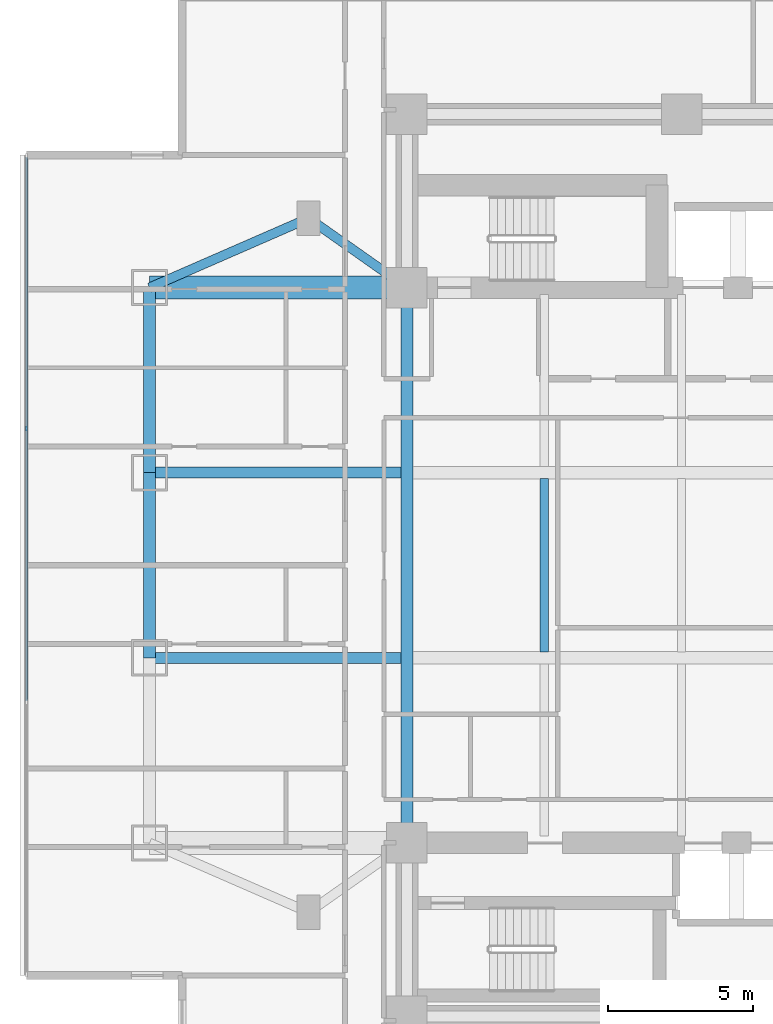
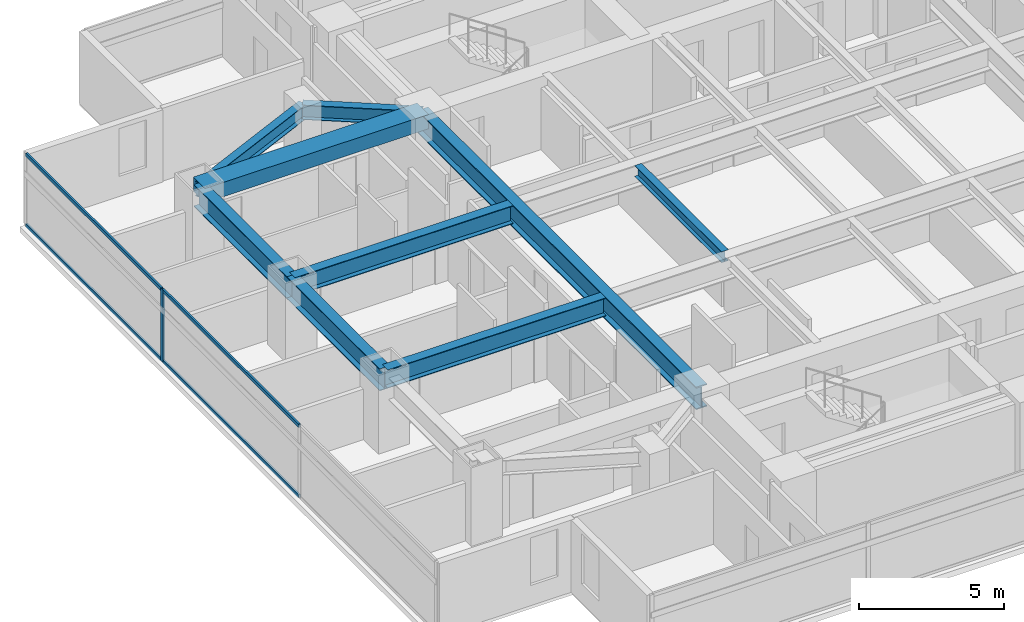
# One storey, part 3 of 27: 9 beams, 5 members, 1 element without a shape of its own.
"""IFC4 building model written with IfcOpenShell, lengths in metres."""

from ifc_helpers import new_model, si_unit, direction, frame, origin, origin_2d, place, context, subcontext, project, spatial, rectangle, i_section, extrude, material, material_profile, profile_set, type_object, element, aggregate, save


model = new_model("IFC4")

# Units and contexts
model_context = context("Model", 3, precision=1e-05, world=origin(), true_north=direction((0.0, 1.0)))
body_context = subcontext(model_context, "Body", "Model", "MODEL_VIEW")
ifc_project = project(units=[si_unit("LENGTHUNIT", "METRE"), si_unit("AREAUNIT", "SQUARE_METRE"), si_unit("VOLUMEUNIT", "CUBIC_METRE"), si_unit("PLANEANGLEUNIT", "RADIAN"), si_unit("MASSUNIT", "GRAM", prefix="KILO")], contexts=[model_context])

# Site, building, storey
site_placement = place(None, origin())
site = spatial("IfcSite", under=ifc_project, at=site_placement, CompositionType="ELEMENT")
building_placement = place(site_placement, origin())
building = spatial("IfcBuilding", under=site, at=building_placement, Name="Mirazonda Arch Towers", CompositionType="ELEMENT")
storey_placement = place(building_placement, frame((0.0, 0.0, 42.199951171875)))
storey = spatial("IfcBuildingStorey", under=building, at=storey_placement, Name="L11", CompositionType="ELEMENT", Elevation=42.199951171875)

# Beams
ifc_material_1 = material(Name="Steel ASTM A992 Grade 50", Category="steel")
ifc_material_profile_1 = material_profile(ifc_material_1, i_section(OverallWidth=0.41796875, OverallDepth=0.927001953125, WebThickness=0.019287109375, FlangeThickness=0.031982421875, at=origin_2d()), Name="W36X231")
ifc_profile_set_1 = profile_set([ifc_material_profile_1], Name="Steel ASTM A992 Grade 50")
beam_type_1 = type_object("IfcBeamType", Name="BM-EXT-W36X231", PredefinedType="USERDEFINED", material=ifc_profile_set_1)
beam_1_placement = place(storey_placement, frame((2.10009765625, 24.800048828125, 2.596435546875), z_axis=(0.0, 1.0, 0.0), x_axis=(-1.0, 0.0, 0.0)))
element("IfcBeam", 1, at=beam_1_placement, inside=storey, type_object=beam_type_1, Name="L11 Floor Beam BM-T1-L11-NS-W-24", ObjectType="GIRDER", PredefinedType="USERDEFINED", context=body_context, shape_type="SweptSolid", body=[
    extrude(i_section(OverallWidth=0.41796875, OverallDepth=0.927001953125, WebThickness=0.019287109375, FlangeThickness=0.031982421875, at=origin_2d()), origin(), (0.0, 0.0, 1.0), 6.39990234375),
])
beam_2_placement = place(storey_placement, frame((2.10009765625, 31.199951171875, 2.596435546875), z_axis=(0.0, 1.0, 0.0), x_axis=(-1.0, 0.0, 0.0)))
element("IfcBeam", 2, at=beam_2_placement, inside=storey, type_object=beam_type_1, Name="L11 Floor Beam BM-T1-L11-NS-W-31", ObjectType="GIRDER", PredefinedType="USERDEFINED", context=body_context, shape_type="SweptSolid", body=[
    extrude(i_section(OverallWidth=0.41796875, OverallDepth=0.927001953125, WebThickness=0.019287109375, FlangeThickness=0.031982421875, at=origin_2d()), origin(), (0.0, 0.0, 1.0), 6.400146484375),
])
ifc_material_profile_2 = material_profile(ifc_material_1, i_section(OverallWidth=0.280029296875, OverallDepth=0.462890625, WebThickness=0.0107421875, FlangeThickness=0.017333984375, at=origin_2d()), Name="W18X76")
ifc_profile_set_2 = profile_set([ifc_material_profile_2], Name="Steel ASTM A992 Grade 50")
beam_type_2 = type_object("IfcBeamType", Name="BM-INT-W18X76", PredefinedType="JOIST", material=ifc_profile_set_2)
beam_3_placement = place(storey_placement, frame((15.75, 25.007568359375, 2.82861328125), z_axis=(0.0, 1.0, 0.0), x_axis=(-1.0, 0.0, 0.0)))
element("IfcBeam", 3, at=beam_3_placement, inside=storey, type_object=beam_type_2, Name="L11 Floor Beam BM-T1-L11-J-157-24", PredefinedType="JOIST", context=body_context, shape_type="SweptSolid", body=[
    extrude(i_section(OverallWidth=0.280029296875, OverallDepth=0.462890625, WebThickness=0.0107421875, FlangeThickness=0.017333984375, at=origin_2d()), origin(), (0.0, 0.0, 1.0), 5.98486328125),
])
ifc_material_profile_3 = material_profile(ifc_material_1, i_section(OverallWidth=0.324951171875, OverallDepth=0.615966796875, WebThickness=0.013916015625, FlangeThickness=0.021484375, at=origin_2d()), Name="W24X117")
ifc_profile_set_3 = profile_set([ifc_material_profile_3], Name="Steel ASTM A992 Grade 50")
beam_type_3 = type_object("IfcBeamType", Name="BM-INT-W24X117", PredefinedType="BEAM", material=ifc_profile_set_3)
beam_4_placement = place(storey_placement, frame((7.60009765625, 40.0, 2.751953125), z_axis=(0.816971114901, -0.576678591087, 0.0), x_axis=(0.576678591087, 0.816971114901, 0.0)))
element("IfcBeam", 4, at=beam_4_placement, inside=storey, type_object=beam_type_3, Name="L11 Floor Beam BM-T1-L11-PL-NW1", PredefinedType="BEAM", context=body_context, shape_type="SweptSolid", body=[
    extrude(i_section(OverallWidth=0.324951171875, OverallDepth=0.615966796875, WebThickness=0.013916015625, FlangeThickness=0.021484375, at=origin_2d()), origin(), (0.0, 0.0, 1.0), 4.16162109375),
])
beam_5_placement = place(storey_placement, frame((7.60009765625, 40.0, 2.751953125), z_axis=(-0.916545343703, -0.399930785183, 0.0), x_axis=(0.399930785183, -0.916545343703, 0.0)))
element("IfcBeam", 5, at=beam_5_placement, inside=storey, type_object=beam_type_3, Name="L11 Floor Beam BM-T1-L11-PL-NW2", PredefinedType="BEAM", context=body_context, shape_type="SweptSolid", body=[
    extrude(i_section(OverallWidth=0.324951171875, OverallDepth=0.615966796875, WebThickness=0.013916015625, FlangeThickness=0.021484375, at=origin_2d()), origin(), (0.0, 0.0, 1.0), 6.000732421875),
])
ifc_material_profile_4 = material_profile(ifc_material_1, i_section(OverallWidth=0.381103515625, OverallDepth=0.77294921875, WebThickness=0.0166015625, FlangeThickness=0.027099609375, at=origin_2d()), Name="W30X173")
ifc_profile_set_4 = profile_set([ifc_material_profile_4], Name="Steel ASTM A992 Grade 50")
beam_type_4 = type_object("IfcBeamType", Name="BM-INT-W30X173", PredefinedType="USERDEFINED", material=ifc_profile_set_4)
for number, where, z_axis, x_axis, name in (
    (6, (2.10009765625, 24.800048828125, 2.673583984375), (1.0, 0.0, 0.0), (0.0, 1.0, 0.0), "L11 Floor Beam BM-T1-L11-GW2"),
    (7, (2.10009765625, 31.199951171875, 2.673583984375), (1.0, 0.0, 0.0), (0.0, 1.0, 0.0), "L11 Floor Beam BM-T1-L11-GW3"),
):
    element("IfcBeam", number, at=place(storey_placement, frame(where, z_axis=z_axis, x_axis=x_axis)), inside=storey, type_object=beam_type_4, Name=name, ObjectType="GIRDER", PredefinedType="USERDEFINED", context=body_context, shape_type="SweptSolid", body=[
        extrude(i_section(OverallWidth=0.381103515625, OverallDepth=0.77294921875, WebThickness=0.0166015625, FlangeThickness=0.027099609375, at=origin_2d()), origin(), (0.0, 0.0, 1.0), 8.6884765625),
    ])
ifc_material_profile_5 = material_profile(ifc_material_1, i_section(OverallWidth=0.423095703125, OverallDepth=0.947998046875, WebThickness=0.02392578125, FlangeThickness=0.042724609375, at=origin_2d()), Name="W36X302")
ifc_profile_set_5 = profile_set([ifc_material_profile_5], Name="Steel ASTM A992 Grade 50")
beam_type_5 = type_object("IfcBeamType", Name="BM-INT-W36X302", PredefinedType="USERDEFINED", material=ifc_profile_set_5)
beam_6_placement = place(storey_placement, frame((11.0, 18.39990234375, 2.5859375), z_axis=(0.0, 1.0, 0.0), x_axis=(-1.0, 0.0, 0.0)))
element("IfcBeam", 8, at=beam_6_placement, inside=storey, type_object=beam_type_5, Name="L11 Floor Beam BM-T1-L11-NS-CW-FULL", ObjectType="GIRDER", PredefinedType="USERDEFINED", context=body_context, shape_type="SweptSolid", body=[
    extrude(i_section(OverallWidth=0.423095703125, OverallDepth=0.947998046875, WebThickness=0.02392578125, FlangeThickness=0.042724609375, at=origin_2d()), origin(), (0.0, 0.0, 1.0), 19.2001953125),
])
ifc_material_2 = material(Name="Concrete C60/75", Category="concrete")
ifc_material_profile_6 = material_profile(ifc_material_2, rectangle(XDim=0.800048828125, YDim=0.60009765625, at=origin_2d()), Name="RCCB800x600")
ifc_profile_set_6 = profile_set([ifc_material_profile_6], Name="Concrete C60/75")
beam_type_6 = type_object("IfcBeamType", Name="CB-INT-RCCB800x600", PredefinedType="SPANDREL", material=ifc_profile_set_6)
beam_7_placement = place(storey_placement, frame((2.10009765625, 37.60009765625, 2.760009765625), z_axis=(1.0, 0.0, 0.0), x_axis=(0.0, 1.0, 0.0)))
element("IfcBeam", 9, at=beam_7_placement, inside=storey, type_object=beam_type_6, Name="L11 Floor Beam CBC-T1-L11-NW", PredefinedType="SPANDREL", context=body_context, shape_type="SweptSolid", body=[
    extrude(rectangle(XDim=0.800048828125, YDim=0.60009765625, at=origin_2d()), origin(), (0.0, 0.0, 1.0), 8.89990234375),
])

# Curtain wall, members
ifc_material_3 = material(Name="Anodised Aluminium and Low-E Glass", Category="aluminium")
curtain_wall_type = type_object("IfcCurtainWallType", Name="CW-HTL-UNIT", PredefinedType="NOTDEFINED", material=ifc_material_3)
curtain_wall_placement = place(storey_placement, origin())
curtain_wall = element("IfcCurtainWall", 10, at=curtain_wall_placement, inside=storey, type_object=curtain_wall_type, Name="L11 T1 W Facade CW-L11-T1-W", PredefinedType="NOTDEFINED")
ifc_material_4 = material(Name="Anodised Aluminium Alloy", Category="aluminium")
ifc_material_profile_7 = material_profile(ifc_material_4, rectangle(XDim=0.074951171875, YDim=0.1650390625, at=origin_2d()), Name="ALU-MULL-75x165")
ifc_profile_set_7 = profile_set([ifc_material_profile_7], Name="Anodised Aluminium Alloy")
member_type_1 = type_object("IfcMemberType", Name="MULL-CW-HTL-UNIT", PredefinedType="MULLION", material=ifc_profile_set_7)
member_1_placement = place(storey_placement, frame((-2.159912109375, 32.729248046875, 0.0), z_axis=(0.0, 0.0, 1.0), x_axis=(1.0, 0.0, 0.0)))
member_1 = element("IfcMember", 11, at=member_1_placement, type_object=member_type_1, Name="CW-112 mullion 2", PredefinedType="MULLION", context=body_context, shape_type="SweptSolid", body=[
    extrude(rectangle(XDim=0.074951171875, YDim=0.1650390625, at=origin_2d()), origin(), (0.0, 0.0, 1.0), 3.0400390625),
])
ifc_material_profile_8 = material_profile(ifc_material_4, rectangle(XDim=0.074951171875, YDim=0.14501953125, at=origin_2d()), Name="ALU-TRAN-75x145")
ifc_profile_set_8 = profile_set([ifc_material_profile_8], Name="Anodised Aluminium Alloy")
member_type_2 = type_object("IfcMemberType", Name="TRAN-CW-HTL-UNIT", PredefinedType="USERDEFINED", material=ifc_profile_set_8)
member_2_placement = place(storey_placement, frame((-2.159912109375, 42.113037109375, 0.03759765625), z_axis=(0.0, -1.0, 0.0), x_axis=(1.0, 0.0, 0.0)))
member_2 = element("IfcMember", 12, at=member_2_placement, type_object=member_type_2, Name="CW-112 transom 1.1", ObjectType="TRANSOM", PredefinedType="USERDEFINED", context=body_context, shape_type="SweptSolid", body=[
    extrude(rectangle(XDim=0.074951171875, YDim=0.14501953125, at=origin_2d()), origin(), (0.0, 0.0, 1.0), 9.34619140625),
])
member_3_placement = place(storey_placement, frame((-2.159912109375, 42.113037109375, 3.00244140625), z_axis=(0.0, -1.0, 0.0), x_axis=(1.0, 0.0, 0.0)))
member_3 = element("IfcMember", 13, at=member_3_placement, type_object=member_type_2, Name="CW-112 transom 1.2", ObjectType="TRANSOM", PredefinedType="USERDEFINED", context=body_context, shape_type="SweptSolid", body=[
    extrude(rectangle(XDim=0.074951171875, YDim=0.14501953125, at=origin_2d()), origin(), (0.0, 0.0, 1.0), 9.34619140625),
])
member_4_placement = place(storey_placement, frame((-2.159912109375, 32.69189453125, 0.03759765625), z_axis=(0.0, -1.0, 0.0), x_axis=(1.0, 0.0, 0.0)))
member_4 = element("IfcMember", 14, at=member_4_placement, type_object=member_type_2, Name="CW-112 transom 2.1", ObjectType="TRANSOM", PredefinedType="USERDEFINED", context=body_context, shape_type="SweptSolid", body=[
    extrude(rectangle(XDim=0.074951171875, YDim=0.14501953125, at=origin_2d()), origin(), (0.0, 0.0, 1.0), 9.3837890625),
])
member_5_placement = place(storey_placement, frame((-2.159912109375, 32.69189453125, 3.00244140625), z_axis=(0.0, -1.0, 0.0), x_axis=(1.0, 0.0, 0.0)))
member_5 = element("IfcMember", 15, at=member_5_placement, type_object=member_type_2, Name="CW-112 transom 2.2", ObjectType="TRANSOM", PredefinedType="USERDEFINED", context=body_context, shape_type="SweptSolid", body=[
    extrude(rectangle(XDim=0.074951171875, YDim=0.14501953125, at=origin_2d()), origin(), (0.0, 0.0, 1.0), 9.3837890625),
])
aggregate(curtain_wall, [member_1, member_2, member_3, member_4, member_5])

save(model, "model.ifc")
